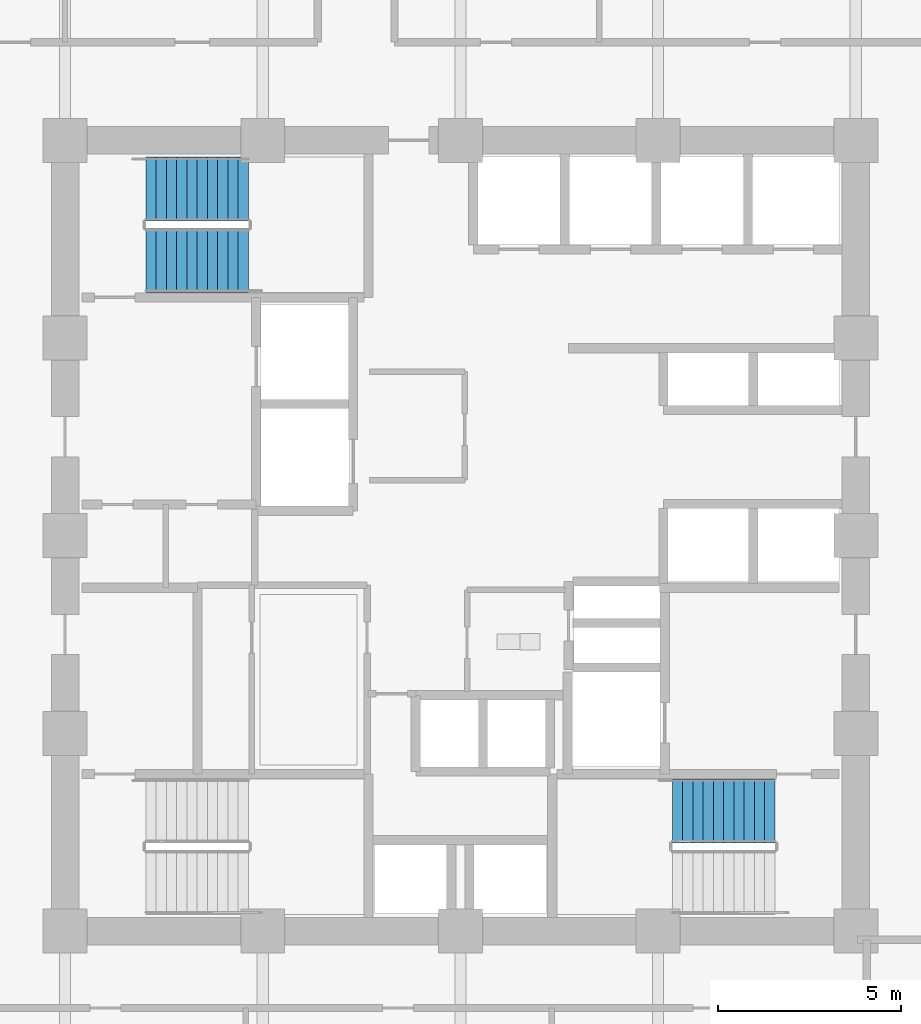
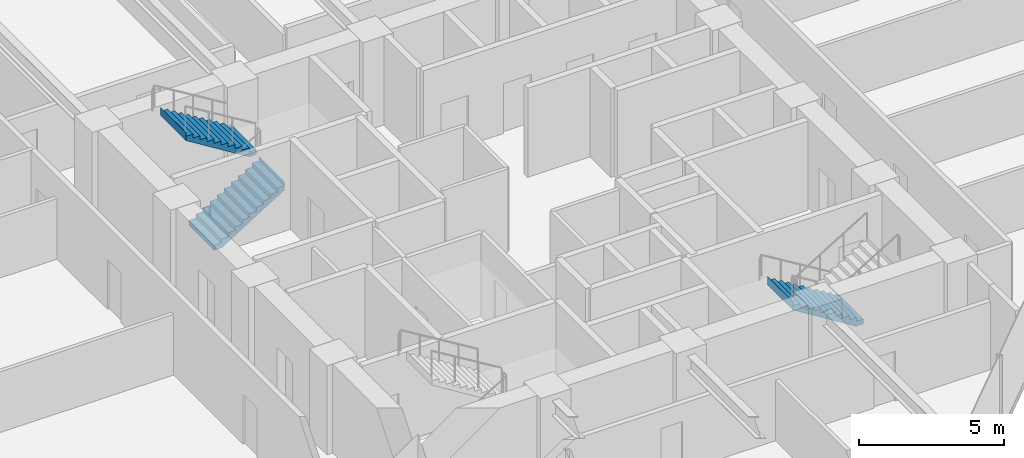
# One storey, part 23 of 26: 3 stair flights, 2 elements without a shape of their own.
"""IFC4 building model written with IfcOpenShell, lengths in metres."""

from ifc_helpers import new_model, si_unit, direction, frame, origin, place, context, subcontext, project, spatial, polyline, outline, extrude, material, type_object, element, aggregate, save


model = new_model("IFC4")

# Units and contexts
model_context = context("Model", 3, precision=1e-05, world=origin(), true_north=direction((0.0, 1.0)))
body_context = subcontext(model_context, "Body", "Model", "MODEL_VIEW")
ifc_project = project(units=[si_unit("LENGTHUNIT", "METRE"), si_unit("AREAUNIT", "SQUARE_METRE"), si_unit("VOLUMEUNIT", "CUBIC_METRE"), si_unit("PLANEANGLEUNIT", "RADIAN"), si_unit("MASSUNIT", "GRAM", prefix="KILO")], contexts=[model_context])

# Site, building, storey
site_placement = place(None, origin())
site = spatial("IfcSite", under=ifc_project, at=site_placement, CompositionType="ELEMENT")
building_placement = place(site_placement, origin())
building = spatial("IfcBuilding", under=site, at=building_placement, Name="Surkhivell Harbour Commons", CompositionType="ELEMENT")
storey_placement = place(building_placement, frame((0.0, 0.0, 75.0)))
storey = spatial("IfcBuildingStorey", under=building, at=storey_placement, Name="L19", CompositionType="ELEMENT", Elevation=75.0)

# Stair, stair flights
ifc_material = material(Name="Precast concrete C45/55", Category="concrete")
stair_type = type_object("IfcStairType", Name="STR-DL-375", PredefinedType="HALF_TURN_STAIR", material=ifc_material)
stair_1_placement = place(storey_placement, origin())
stair_1 = element("IfcStair", 1, at=stair_1_placement, inside=storey, type_object=stair_type, Name="L19 Core Exit Stair ST1", PredefinedType="HALF_TURN_STAIR")
stair_flight_type = type_object("IfcStairFlightType", Name="STF-DL-375", PredefinedType="STRAIGHT", material=ifc_material)
stair_flight_1_placement = place(storey_placement, frame((-8.590087890625, 7.514892578125, 0.0), z_axis=(0.0, 0.0, 1.0), x_axis=(1.0, 0.0, 0.0)))
stair_flight_1 = element("IfcStairFlight", 2, at=stair_flight_1_placement, type_object=stair_flight_type, Name="ST1 flight 1", NumberOfRisers=11, NumberOfTreads=10, PredefinedType="STRAIGHT", RiserHeight=0.170454545, TreadLength=0.28, context=body_context, shape_type="SweptSolid", body=[
    extrude(outline(polyline([(-0.0029296875, -0.034912109375), (-0.0029296875, 0.0), (0.0, 0.0), (0.0, 0.17041015625), (0.280029296875, 0.17041015625), (0.280029296875, 0.3408203125), (0.56005859375, 0.3408203125), (0.56005859375, 0.511474609375), (0.840087890625, 0.511474609375), (0.840087890625, 0.681884765625), (1.1201171875, 0.681884765625), (1.1201171875, 0.852294921875), (1.39990234375, 0.852294921875), (1.39990234375, 1.022705078125), (1.679931640625, 1.022705078125), (1.679931640625, 1.193115234375), (1.9599609375, 1.193115234375), (1.9599609375, 1.363525390625), (2.239990234375, 1.363525390625), (2.239990234375, 1.5341796875), (2.52001953125, 1.5341796875), (2.52001953125, 1.70458984375), (2.800048828125, 1.70458984375), (2.800048828125, 1.875), (2.802978515625, 1.875), (2.802978515625, 1.529052734375), (0.288330078125, -0.034912109375), (-0.0029296875, -0.034912109375)])), frame((0.0, 0.875, 0.0), z_axis=(0.0, -1.0, 0.0), x_axis=(1.0, 0.0, 0.0)), (0.0, 0.0, 1.0), 1.75),
])
stair_flight_2_placement = place(storey_placement, frame((-5.7900390625, 9.465087890625, 1.875), z_axis=(0.0, 0.0, 1.0), x_axis=(-1.0, 0.0, 0.0)))
stair_flight_2 = element("IfcStairFlight", 3, at=stair_flight_2_placement, type_object=stair_flight_type, Name="ST1 flight 2", NumberOfRisers=11, NumberOfTreads=10, PredefinedType="STRAIGHT", RiserHeight=0.170454545, TreadLength=0.28, context=body_context, shape_type="SweptSolid", body=[
    extrude(outline(polyline([(-0.0029296875, -0.034912109375), (-0.0029296875, 0.0), (0.0, 0.0), (0.0, 0.17041015625), (0.280029296875, 0.17041015625), (0.280029296875, 0.3408203125), (0.56005859375, 0.3408203125), (0.56005859375, 0.511474609375), (0.840087890625, 0.511474609375), (0.840087890625, 0.681884765625), (1.1201171875, 0.681884765625), (1.1201171875, 0.852294921875), (1.39990234375, 0.852294921875), (1.39990234375, 1.022705078125), (1.679931640625, 1.022705078125), (1.679931640625, 1.193115234375), (1.9599609375, 1.193115234375), (1.9599609375, 1.363525390625), (2.239990234375, 1.363525390625), (2.239990234375, 1.5341796875), (2.52001953125, 1.5341796875), (2.52001953125, 1.70458984375), (2.800048828125, 1.70458984375), (2.800048828125, 1.875), (2.802978515625, 1.875), (2.802978515625, 1.529052734375), (0.288330078125, -0.034912109375), (-0.0029296875, -0.034912109375)])), frame((0.0, 0.875, 0.0), z_axis=(0.0, -1.0, 0.0), x_axis=(1.0, 0.0, 0.0)), (0.0, 0.0, 1.0), 1.75),
])
aggregate(stair_1, [stair_flight_1, stair_flight_2])

# Stair, stair flight
stair_2_placement = place(storey_placement, origin())
stair_2 = element("IfcStair", 4, at=stair_2_placement, inside=storey, type_object=stair_type, Name="L19 Core Exit Stair ST2", PredefinedType="HALF_TURN_STAIR")
stair_flight_3_placement = place(storey_placement, frame((8.590087890625, -7.514892578125, 0.0), z_axis=(0.0, 0.0, 1.0), x_axis=(-1.0, 0.0, 0.0)))
stair_flight_3 = element("IfcStairFlight", 5, at=stair_flight_3_placement, type_object=stair_flight_type, Name="ST2 flight 1", NumberOfRisers=11, NumberOfTreads=10, PredefinedType="STRAIGHT", RiserHeight=0.170454545, TreadLength=0.28, context=body_context, shape_type="SweptSolid", body=[
    extrude(outline(polyline([(-0.0029296875, -0.034912109375), (-0.0029296875, 0.0), (0.0, 0.0), (0.0, 0.17041015625), (0.280029296875, 0.17041015625), (0.280029296875, 0.3408203125), (0.56005859375, 0.3408203125), (0.56005859375, 0.511474609375), (0.840087890625, 0.511474609375), (0.840087890625, 0.681884765625), (1.1201171875, 0.681884765625), (1.1201171875, 0.852294921875), (1.39990234375, 0.852294921875), (1.39990234375, 1.022705078125), (1.679931640625, 1.022705078125), (1.679931640625, 1.193115234375), (1.9599609375, 1.193115234375), (1.9599609375, 1.363525390625), (2.239990234375, 1.363525390625), (2.239990234375, 1.5341796875), (2.52001953125, 1.5341796875), (2.52001953125, 1.70458984375), (2.800048828125, 1.70458984375), (2.800048828125, 1.875), (2.802978515625, 1.875), (2.802978515625, 1.529052734375), (0.288330078125, -0.034912109375), (-0.0029296875, -0.034912109375)])), frame((0.0, 0.875, 0.0), z_axis=(0.0, -1.0, 0.0), x_axis=(1.0, 0.0, 0.0)), (0.0, 0.0, 1.0), 1.75),
])
aggregate(stair_2, [stair_flight_3])

save(model, "model.ifc")
